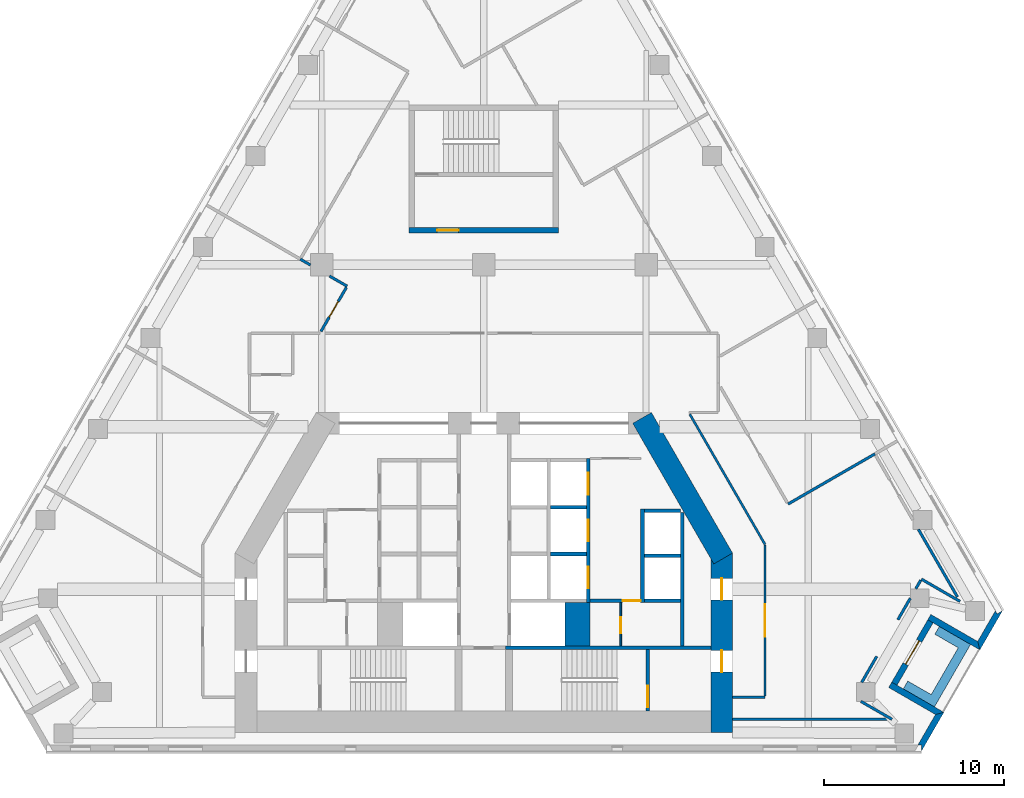
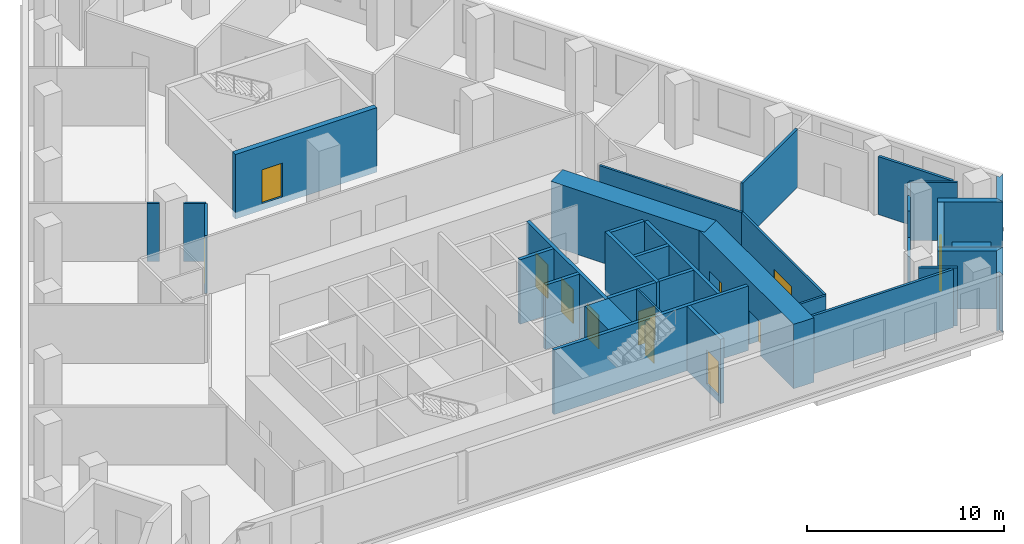
# One storey, part 5 of 8: 36 walls, 12 doors, 12 openings.
"""IFC4 building model written with IfcOpenShell, lengths in metres."""

from ifc_helpers import new_model, si_unit, direction, frame, frame_2d, origin, place, context, subcontext, project, spatial, polyline, rectangle, outline, extrude, material, layer, layer_set, type_object, element, fill, save


model = new_model("IFC4")

# Units and contexts
model_context = context("Model", 3, precision=1e-05, world=origin(), true_north=direction((0.0, 1.0)))
body_context = subcontext(model_context, "Body", "Model", "MODEL_VIEW")
ifc_project = project(units=[si_unit("LENGTHUNIT", "METRE"), si_unit("AREAUNIT", "SQUARE_METRE"), si_unit("VOLUMEUNIT", "CUBIC_METRE"), si_unit("PLANEANGLEUNIT", "RADIAN"), si_unit("MASSUNIT", "GRAM", prefix="KILO")], contexts=[model_context])

# Site, building, storey
site_placement = place(None, origin())
site = spatial("IfcSite", under=ifc_project, at=site_placement, CompositionType="ELEMENT")
building_placement = place(site_placement, origin())
building = spatial("IfcBuilding", under=site, at=building_placement, Name="Fogline Exchange Tower", CompositionType="ELEMENT")
storey_placement = place(building_placement, frame((0.0, 0.0, 162.89990234375)))
storey = spatial("IfcBuildingStorey", under=building, at=storey_placement, Name="L36", CompositionType="ELEMENT", Elevation=162.89990234375)

# Wall, opening, door
ifc_material_1 = material(Name="Blockwork partition", Category="masonry")
ifc_layer_1 = layer(ifc_material_1, 0.10009765625)
ifc_layer_set_1 = layer_set([ifc_layer_1], Name="CW10")
wall_type_1 = type_object("IfcWallType", Name="CW10", PredefinedType="PARTITIONING", material=ifc_layer_set_1)
wall_1_placement = place(storey_placement, frame((7.60009765625, 5.85009765625, 0.0), z_axis=(0.0, 0.0, 1.0), x_axis=(0.0, 1.0, 0.0)))
wall_1 = element("IfcWall", 1, at=wall_1_placement, inside=storey, type_object=wall_type_1, Name="WC partition", PredefinedType="PARTITIONING", context=body_context, shape_type="SweptSolid", body=[
    extrude(rectangle(XDim=2.39990234375, YDim=0.10009765625, at=frame_2d((1.199951171875, 0.0))), origin(), (0.0, 0.0, 1.0), 3.60009765625),
])
opening_1_placement = place(wall_1_placement, frame((0.699951171875, 0.0, 0.0)))
opening_1 = element("IfcOpeningElement", 2, at=opening_1_placement, cuts=wall_1, Name="Opening T11-C019", PredefinedType="OPENING", context=body_context, shape_type="SweptSolid", body=[
    extrude(rectangle(XDim=0.89990234375, YDim=2.10009765625, at=frame_2d((0.449951171875, 1.050048828125))), frame((0.0, 0.06005859375, 0.0), z_axis=(0.0, -1.0, 0.0), x_axis=(1.0, 0.0, 0.0)), (0.0, 0.0, 1.0), 0.1201171875),
])
ifc_material_2 = material(Name="Steel and timber fire door", Category="steel")
door_type_1 = type_object("IfcDoorType", Name="D-CS1", OperationType="SINGLE_SWING_RIGHT", PredefinedType="DOOR", material=ifc_material_2)
door_1_placement = place(opening_1_placement, origin())
door_1 = element("IfcDoor", 3, at=door_1_placement, inside=storey, type_object=door_type_1, Name="Door to Cleaner's Store", OperationType="SINGLE_SWING_LEFT", OverallHeight=2.10009765625, OverallWidth=0.89990234375, PredefinedType="DOOR", context=body_context, shape_type="SweptSolid", body=[
    extrude(rectangle(XDim=0.89990234375, YDim=2.10009765625, at=frame_2d((0.449951171875, 1.050048828125))), frame((0.0, 0.02490234375, 0.0), z_axis=(0.0, -1.0, 0.0), x_axis=(1.0, 0.0, 0.0)), (0.0, 0.0, 1.0), 0.050048828125),
])
fill(opening_1, door_1)

# Walls
ifc_material_3 = material(Name="Concrete C60", Category="concrete")
ifc_layer_2 = layer(ifc_material_3, 1.39990234375)
ifc_layer_set_2 = layer_set([ifc_layer_2], Name="CW140")
wall_type_2 = type_object("IfcWallType", Name="CW140", PredefinedType="SOLIDWALL", material=ifc_layer_set_2)
wall_2_placement = place(storey_placement, frame((5.199951171875, 5.85009765625, -0.39990234375), z_axis=(0.0, 0.0, 1.0), x_axis=(0.0, 1.0, 0.0)))
element("IfcWall", 4, at=wall_2_placement, inside=storey, type_object=wall_type_2, Name="Lift shaft block wall", PredefinedType="SOLIDWALL", context=body_context, shape_type="SweptSolid", body=[
    extrude(rectangle(XDim=2.39990234375, YDim=1.39990234375, at=frame_2d((1.199951171875, 0.0))), origin(), (0.0, 0.0, 1.0), 4.0),
])
ifc_material_4 = material(Name="Concrete C40", Category="concrete")
ifc_layer_3 = layer(ifc_material_4, 0.199951171875)
ifc_layer_set_3 = layer_set([ifc_layer_3], Name="CW20")
wall_type_3 = type_object("IfcWallType", Name="CW20", PredefinedType="SOLIDWALL", material=ifc_layer_set_3)
wall_3_placement = place(storey_placement, frame((11.0, 5.85009765625, 0.0), z_axis=(0.0, 0.0, 1.0), x_axis=(0.0, 1.0, 0.0)))
element("IfcWall", 5, at=wall_3_placement, inside=storey, type_object=wall_type_3, Name="Service room wall", PredefinedType="SOLIDWALL", context=body_context, shape_type="SweptSolid", body=[
    extrude(rectangle(XDim=7.39990234375, YDim=0.199951171875, at=frame_2d((3.699951171875, 0.0))), origin(), (0.0, 0.0, 1.0), 3.60009765625),
])

# Wall, opening, door
wall_4_placement = place(storey_placement, frame((5.89990234375, 8.35009765625, 0.0), z_axis=(0.0, 0.0, 1.0), x_axis=(1.0, 0.0, 0.0)))
wall_4 = element("IfcWall", 6, at=wall_4_placement, inside=storey, type_object=wall_type_3, Name="WC wall", PredefinedType="SOLIDWALL", context=body_context, shape_type="SweptSolid", body=[
    extrude(rectangle(XDim=2.800048828125, YDim=0.199951171875, at=frame_2d((1.39990234375, 0.0))), origin(), (0.0, 0.0, 1.0), 3.60009765625),
])
opening_2_placement = place(wall_4_placement, frame((1.800048828125, 0.0, 0.0)))
opening_2 = element("IfcOpeningElement", 7, at=opening_2_placement, cuts=wall_4, Name="Opening T11-C018", PredefinedType="OPENING", context=body_context, shape_type="SweptSolid", body=[
    extrude(rectangle(XDim=1.0, YDim=2.10009765625, at=frame_2d((0.5, 1.050048828125))), frame((0.0, 0.10986328125, 0.0), z_axis=(0.0, -1.0, 0.0), x_axis=(1.0, 0.0, 0.0)), (0.0, 0.0, 1.0), 0.219970703125),
])
door_type_2 = type_object("IfcDoorType", Name="D-WC1", OperationType="SINGLE_SWING_LEFT", PredefinedType="DOOR", material=ifc_material_2)
door_2_placement = place(opening_2_placement, frame((1.0, 0.0, 0.0), z_axis=(0.0, 0.0, 1.0), x_axis=(-1.0, 0.0, 0.0)))
door_2 = element("IfcDoor", 8, at=door_2_placement, inside=storey, type_object=door_type_2, Name="Door to Women's WC", OperationType="SINGLE_SWING_LEFT", OverallHeight=2.10009765625, OverallWidth=1.0, PredefinedType="DOOR", context=body_context, shape_type="SweptSolid", body=[
    extrude(rectangle(XDim=1.0, YDim=2.10009765625, at=frame_2d((0.5, 1.050048828125))), frame((0.0, 0.02490234375, 0.0), z_axis=(0.0, -1.0, 0.0), x_axis=(1.0, 0.0, 0.0)), (0.0, 0.0, 1.0), 0.050048828125),
])
fill(opening_2, door_2)

# Wall
ifc_layer_4 = layer(ifc_material_4, 0.199951171875)
ifc_layer_set_4 = layer_set([ifc_layer_4], Name="CW20R")
wall_type_4 = type_object("IfcWallType", Name="CW20R", PredefinedType="SOLIDWALL", material=ifc_layer_set_4)
wall_5_placement = place(storey_placement, frame((1.199951171875, 5.75, -0.39990234375), z_axis=(0.0, 0.0, 1.0), x_axis=(1.0, 0.0, 0.0)))
element("IfcWall", 9, at=wall_5_placement, inside=storey, type_object=wall_type_4, Name="Stair enclosure wall", PredefinedType="SOLIDWALL", context=body_context, shape_type="SweptSolid", body=[
    extrude(rectangle(XDim=11.400146484375, YDim=0.199951171875, at=frame_2d((5.7001953125, 0.0))), origin(), (0.0, 0.0, 1.0), 4.0),
])

# Wall, opening, door
wall_6_placement = place(storey_placement, frame((9.10009765625, 2.25, -0.39990234375), z_axis=(0.0, 0.0, 1.0), x_axis=(0.0, 1.0, 0.0)))
wall_6 = element("IfcWall", 10, at=wall_6_placement, inside=storey, type_object=wall_type_4, Name="Stair enclosure wall", PredefinedType="SOLIDWALL", context=body_context, shape_type="SweptSolid", body=[
    extrude(rectangle(XDim=3.39990234375, YDim=0.199951171875, at=frame_2d((1.699951171875, 0.0))), origin(), (0.0, 0.0, 1.0), 4.0),
])
opening_3_placement = place(wall_6_placement, frame((0.199951171875, 0.0, 0.39990234375)))
opening_3 = element("IfcOpeningElement", 11, at=opening_3_placement, cuts=wall_6, Name="Opening T11-C021", PredefinedType="OPENING", context=body_context, shape_type="SweptSolid", body=[
    extrude(rectangle(XDim=1.199951171875, YDim=2.10009765625, at=frame_2d((0.60009765625, 1.050048828125))), frame((0.0, 0.10986328125, 0.0), z_axis=(0.0, -1.0, 0.0), x_axis=(1.0, 0.0, 0.0)), (0.0, 0.0, 1.0), 0.219970703125),
])
door_type_3 = type_object("IfcDoorType", Name="D-ST1", OperationType="SINGLE_SWING_LEFT", PredefinedType="DOOR", material=ifc_material_2)
door_3_placement = place(opening_3_placement, origin())
door_3 = element("IfcDoor", 12, at=door_3_placement, inside=storey, type_object=door_type_3, Name="Stair door ST2", OperationType="SINGLE_SWING_LEFT", OverallHeight=2.10009765625, OverallWidth=1.199951171875, PredefinedType="DOOR", context=body_context, shape_type="SweptSolid", body=[
    extrude(rectangle(XDim=1.199951171875, YDim=2.10009765625, at=frame_2d((0.60009765625, 1.050048828125))), frame((0.0, 0.02490234375, 0.0), z_axis=(0.0, -1.0, 0.0), x_axis=(1.0, 0.0, 0.0)), (0.0, 0.0, 1.0), 0.050048828125),
])
fill(opening_3, door_3)

# Wall
ifc_layer_5 = layer(ifc_material_4, 0.199951171875)
ifc_layer_set_5 = layer_set([ifc_layer_5], Name="CW20S")
wall_type_5 = type_object("IfcWallType", Name="CW20S", PredefinedType="SOLIDWALL", material=ifc_layer_set_5)
wall_7_placement = place(storey_placement, frame((8.800048828125, 8.25, -0.39990234375), z_axis=(0.0, 0.0, 1.0), x_axis=(0.0, 1.0, 0.0)))
element("IfcWall", 13, at=wall_7_placement, inside=storey, type_object=wall_type_5, Name="Lift shaft wall", PredefinedType="SOLIDWALL", context=body_context, shape_type="SweptSolid", body=[
    extrude(rectangle(XDim=5.199951171875, YDim=0.199951171875, at=frame_2d((2.60009765625, 0.0))), origin(), (0.0, 0.0, 1.0), 4.0),
])

# Wall, openings, doors
wall_8_placement = place(storey_placement, frame((5.800048828125, 8.25, -0.39990234375), z_axis=(0.0, 0.0, 1.0), x_axis=(0.0, 1.0, 0.0)))
wall_8 = element("IfcWall", 14, at=wall_8_placement, inside=storey, type_object=wall_type_5, Name="Lift shaft wall", PredefinedType="SOLIDWALL", context=body_context, shape_type="SweptSolid", body=[
    extrude(rectangle(XDim=8.0, YDim=0.199951171875, at=frame_2d((4.0, 0.0))), origin(), (0.0, 0.0, 1.0), 4.0),
])
opening_4_placement = place(wall_8_placement, frame((0.800048828125, 0.0, 0.39990234375)))
opening_4 = element("IfcOpeningElement", 15, at=opening_4_placement, cuts=wall_8, Name="Opening T11-LD02", PredefinedType="OPENING", context=body_context, shape_type="SweptSolid", body=[
    extrude(rectangle(XDim=1.199951171875, YDim=2.10009765625, at=frame_2d((0.60009765625, 1.050048828125))), frame((0.0, 0.10986328125, 0.0), z_axis=(0.0, -1.0, 0.0), x_axis=(1.0, 0.0, 0.0)), (0.0, 0.0, 1.0), 0.219970703125),
])
opening_5_placement = place(wall_8_placement, frame((3.39990234375, 0.0, 0.39990234375)))
opening_5 = element("IfcOpeningElement", 16, at=opening_5_placement, cuts=wall_8, Name="Opening T11-LD03", PredefinedType="OPENING", context=body_context, shape_type="SweptSolid", body=[
    extrude(rectangle(XDim=1.199951171875, YDim=2.10009765625, at=frame_2d((0.60009765625, 1.050048828125))), frame((0.0, 0.10986328125, 0.0), z_axis=(0.0, -1.0, 0.0), x_axis=(1.0, 0.0, 0.0)), (0.0, 0.0, 1.0), 0.219970703125),
])
opening_6_placement = place(wall_8_placement, frame((6.0, 0.0, 0.39990234375)))
opening_6 = element("IfcOpeningElement", 17, at=opening_6_placement, cuts=wall_8, Name="Opening T11-LD04", PredefinedType="OPENING", context=body_context, shape_type="SweptSolid", body=[
    extrude(rectangle(XDim=1.199951171875, YDim=2.10009765625, at=frame_2d((0.60009765625, 1.050048828125))), frame((0.0, 0.10986328125, 0.0), z_axis=(0.0, -1.0, 0.0), x_axis=(1.0, 0.0, 0.0)), (0.0, 0.0, 1.0), 0.219970703125),
])
door_type_4 = type_object("IfcDoorType", Name="LD1", OperationType="SLIDING_TO_LEFT", PredefinedType="DOOR", material=ifc_material_2)
door_4_placement = place(opening_4_placement, origin())
door_4 = element("IfcDoor", 18, at=door_4_placement, inside=storey, type_object=door_type_4, Name="Landing door MR1", OperationType="SLIDING_TO_LEFT", OverallHeight=2.10009765625, OverallWidth=1.199951171875, PredefinedType="DOOR", context=body_context, shape_type="SweptSolid", body=[
    extrude(rectangle(XDim=1.199951171875, YDim=2.10009765625, at=frame_2d((0.60009765625, 1.050048828125))), frame((0.0, 0.02490234375, 0.0), z_axis=(0.0, -1.0, 0.0), x_axis=(1.0, 0.0, 0.0)), (0.0, 0.0, 1.0), 0.050048828125),
])
fill(opening_4, door_4)
door_5_placement = place(opening_5_placement, origin())
door_5 = element("IfcDoor", 19, at=door_5_placement, inside=storey, type_object=door_type_4, Name="Landing door MR2", OperationType="SLIDING_TO_LEFT", OverallHeight=2.10009765625, OverallWidth=1.199951171875, PredefinedType="DOOR", context=body_context, shape_type="SweptSolid", body=[
    extrude(rectangle(XDim=1.199951171875, YDim=2.10009765625, at=frame_2d((0.60009765625, 1.050048828125))), frame((0.0, 0.02490234375, 0.0), z_axis=(0.0, -1.0, 0.0), x_axis=(1.0, 0.0, 0.0)), (0.0, 0.0, 1.0), 0.050048828125),
])
fill(opening_5, door_5)
door_6_placement = place(opening_6_placement, origin())
door_6 = element("IfcDoor", 20, at=door_6_placement, inside=storey, type_object=door_type_4, Name="Landing door MR3", OperationType="SLIDING_TO_LEFT", OverallHeight=2.10009765625, OverallWidth=1.199951171875, PredefinedType="DOOR", context=body_context, shape_type="SweptSolid", body=[
    extrude(rectangle(XDim=1.199951171875, YDim=2.10009765625, at=frame_2d((0.60009765625, 1.050048828125))), frame((0.0, 0.02490234375, 0.0), z_axis=(0.0, -1.0, 0.0), x_axis=(1.0, 0.0, 0.0)), (0.0, 0.0, 1.0), 0.050048828125),
])
fill(opening_6, door_6)

# Walls
for number, where, z_axis, x_axis, name in (
    (21, (8.89990234375, 8.35009765625, -0.39990234375), (0.0, 0.0, 1.0), (1.0, 0.0, 0.0), "Lift shaft wall"),
    (22, (8.89990234375, 10.85009765625, -0.39990234375), (0.0, 0.0, 1.0), (1.0, 0.0, 0.0), "Lift shaft wall"),
    (23, (8.89990234375, 13.35009765625, -0.39990234375), (0.0, 0.0, 1.0), (1.0, 0.0, 0.0), "Lift shaft wall"),
    (24, (3.699951171875, 10.949951171875, -0.39990234375), (0.0, 0.0, 1.0), (1.0, 0.0, 0.0), "Lift shaft wall"),
    (25, (3.699951171875, 13.550048828125, -0.39990234375), (0.0, 0.0, 1.0), (1.0, 0.0, 0.0), "Lift shaft wall"),
):
    element("IfcWall", number, at=place(storey_placement, frame(where, z_axis=z_axis, x_axis=x_axis)), inside=storey, type_object=wall_type_5, Name=name, PredefinedType="SOLIDWALL", context=body_context, shape_type="SweptSolid", body=[
        extrude(rectangle(XDim=2.0, YDim=0.199951171875, at=frame_2d((1.0, 0.0))), origin(), (0.0, 0.0, 1.0), 4.0),
    ])

# Wall, opening, door
ifc_layer_6 = layer(ifc_material_4, 0.300048828125)
ifc_layer_set_6 = layer_set([ifc_layer_6], Name="CW30")
wall_type_6 = type_object("IfcWallType", Name="CW30", PredefinedType="SOLIDWALL", material=ifc_layer_set_6)
wall_9_placement = place(storey_placement, frame((-4.14990234375, 28.906982421875, -0.39990234375), z_axis=(0.0, 0.0, 1.0), x_axis=(1.0, 0.0, 0.0)))
wall_9 = element("IfcWall", 26, at=wall_9_placement, inside=storey, type_object=wall_type_6, Name="Stair enclosure wall ST3", PredefinedType="SOLIDWALL", context=body_context, shape_type="SweptSolid", body=[
    extrude(rectangle(XDim=8.2998046875, YDim=0.300048828125, at=frame_2d((4.14990234375, 0.0))), origin(), (0.0, 0.0, 1.0), 4.0),
])
opening_7_placement = place(wall_9_placement, frame((1.550048828125, 0.0, 0.39990234375)))
opening_7 = element("IfcOpeningElement", 27, at=opening_7_placement, cuts=wall_9, Name="Opening T11-C026", PredefinedType="OPENING", context=body_context, shape_type="SweptSolid", body=[
    extrude(rectangle(XDim=1.199951171875, YDim=2.10009765625, at=frame_2d((0.60009765625, 1.050048828125))), frame((0.0, 0.16015625, 0.0), z_axis=(0.0, -1.0, 0.0), x_axis=(1.0, 0.0, 0.0)), (0.0, 0.0, 1.0), 0.320068359375),
])
door_type_5 = type_object("IfcDoorType", Name="D-FR1", OperationType="SINGLE_SWING_RIGHT", PredefinedType="DOOR", material=ifc_material_2)
door_7_placement = place(opening_7_placement, origin())
door_7 = element("IfcDoor", 28, at=door_7_placement, inside=storey, type_object=door_type_5, Name="Front room door ST3", OperationType="SINGLE_SWING_LEFT", OverallHeight=2.10009765625, OverallWidth=1.199951171875, PredefinedType="DOOR", context=body_context, shape_type="SweptSolid", body=[
    extrude(rectangle(XDim=1.199951171875, YDim=2.10009765625, at=frame_2d((0.60009765625, 1.050048828125))), frame((0.0, 0.02490234375, 0.0), z_axis=(0.0, -1.0, 0.0), x_axis=(1.0, 0.0, 0.0)), (0.0, 0.0, 1.0), 0.050048828125),
])
fill(opening_7, door_7)

# Walls
ifc_material_5 = material(Name="Brick masonry", Category="masonry")
ifc_layer_7 = layer(ifc_material_5, 0.340087890625)
ifc_layer_set_7 = layer_set([ifc_layer_7], Name="FW1")
wall_type_7 = type_object("IfcWallType", Name="FW1", PredefinedType="SOLIDWALL", material=ifc_layer_set_7)
wall_10_placement = place(storey_placement, origin())
element("IfcWall", 29, at=wall_10_placement, inside=storey, type_object=wall_type_7, Name="Brick wall L36 SE-c1", PredefinedType="SOLIDWALL", context=body_context, shape_type="SweptSolid", body=[
    extrude(outline(polyline([(25.527099609375, 2.165771484375), (24.276123046875, -0.001220703125), (24.275390625, -0.0009765625), (24.275390625, 0.33935546875), (24.078857421875, 0.33935546875), (25.061279296875, 2.041015625), (25.52685546875, 2.166015625), (25.527099609375, 2.165771484375)])), origin(), (0.0, 0.0, 1.0), 3.60009765625),
])
wall_11_placement = place(storey_placement, origin())
element("IfcWall", 30, at=wall_11_placement, inside=storey, type_object=wall_type_7, Name="Brick wall L36 SE-s1", PredefinedType="SOLIDWALL", context=body_context, shape_type="SweptSolid", body=[
    extrude(outline(polyline([(22.462646484375, 3.540283203125), (22.63330078125, 3.8359375), (22.92822265625, 3.66552734375), (25.52734375, 2.1650390625), (25.52734375, 2.164794921875), (25.0615234375, 2.0400390625), (22.462646484375, 3.540283203125)])), origin(), (0.0, 0.0, 1.0), 3.60009765625),
])

# Wall, opening, door
wall_12_placement = place(storey_placement, frame((22.78076171875, 3.75, 0.0), z_axis=(0.0, 0.0, 1.0), x_axis=(0.49999894854, 0.866026010844, 0.0)))
wall_12 = element("IfcWall", 31, at=wall_12_placement, inside=storey, type_object=wall_type_7, Name="Brick wall L36 SE-bk", PredefinedType="SOLIDWALL", context=body_context, shape_type="SweptSolid", body=[
    extrude(rectangle(XDim=4.0, YDim=0.340087890625, at=frame_2d((2.0, 0.0))), origin(), (0.0, 0.0, 1.0), 3.60009765625),
])
opening_8_placement = place(wall_12_placement, frame((1.25, 0.0, 0.0)))
opening_8 = element("IfcOpeningElement", 32, at=opening_8_placement, cuts=wall_12, Name="Opening T11-E081", PredefinedType="OPENING", context=body_context, shape_type="SweptSolid", body=[
    extrude(rectangle(XDim=1.5, YDim=2.39990234375, at=frame_2d((0.75, 1.199951171875))), frame((0.0, 0.18017578125, 0.0), z_axis=(0.0, -1.0, 0.0), x_axis=(1.0, 0.0, 0.0)), (0.0, 0.0, 1.0), 0.360107421875),
])
ifc_material_6 = material(Name="Aluminium and glass", Category="aluminium")
door_type_6 = type_object("IfcDoorType", Name="ED4", OperationType="SINGLE_SWING_LEFT", PredefinedType="DOOR", material=ifc_material_6)
door_8_placement = place(opening_8_placement, frame((1.5, 0.0, 0.0), z_axis=(0.0, 0.0, 1.0), x_axis=(-1.0, 0.0, 0.0)))
door_8 = element("IfcDoor", 33, at=door_8_placement, inside=storey, type_object=door_type_6, Name="Balcony door L36 SE", OperationType="DOUBLE_DOOR_SINGLE_SWING", OverallHeight=2.39990234375, OverallWidth=1.5, PredefinedType="DOOR", context=body_context, shape_type="SweptSolid", body=[
    extrude(rectangle(XDim=1.5, YDim=2.39990234375, at=frame_2d((0.75, 1.199951171875))), frame((0.0, 0.02490234375, 0.0), z_axis=(0.0, -1.0, 0.0), x_axis=(1.0, 0.0, 0.0)), (0.0, 0.0, 1.0), 0.050048828125),
])
fill(opening_8, door_8)

# Walls
wall_13_placement = place(storey_placement, origin())
element("IfcWall", 34, at=wall_13_placement, inside=storey, type_object=wall_type_7, Name="Brick wall L36 SE-s2", PredefinedType="SOLIDWALL", context=body_context, shape_type="SweptSolid", body=[
    extrude(outline(polyline([(27.526611328125, 5.628173828125), (24.927734375, 7.128662109375), (24.6328125, 7.298828125), (24.803466796875, 7.594482421875), (27.402099609375, 6.093994140625), (27.52685546875, 5.62841796875), (27.526611328125, 5.628173828125)])), origin(), (0.0, 0.0, 1.0), 3.60009765625),
])
wall_14_placement = place(storey_placement, origin())
element("IfcWall", 35, at=wall_14_placement, inside=storey, type_object=wall_type_7, Name="Brick wall L36 SE-c2", PredefinedType="SOLIDWALL", context=body_context, shape_type="SweptSolid", body=[
    extrude(outline(polyline([(28.383544921875, 7.79541015625), (28.48193359375, 7.625), (28.776611328125, 7.79541015625), (28.777099609375, 7.794921875), (27.526123046875, 5.6279296875), (27.52587890625, 5.6279296875), (27.40087890625, 6.09375), (28.383544921875, 7.79541015625)])), origin(), (0.0, 0.0, 1.0), 3.60009765625),
])
ifc_material_7 = material(Name="Concrete C30", Category="concrete")
ifc_layer_8 = layer(ifc_material_7, 0.199951171875)
ifc_layer_set_8 = layer_set([ifc_layer_8], Name="PL1")
wall_type_8 = type_object("IfcWallType", Name="PL1", PredefinedType="USERDEFINED", material=ifc_layer_set_8)
wall_15_placement = place(storey_placement, origin())
element("IfcWall", 36, at=wall_15_placement, inside=storey, type_object=wall_type_8, Name="PLANTER balcony L36 SE", ObjectType="PLANTER", PredefinedType="USERDEFINED", context=body_context, shape_type="SweptSolid", body=[
    extrude(outline(polyline([(23.2744140625, 3.465087890625), (24.573486328125, 2.715087890625), (24.573486328125, 2.715087890625), (25.006591796875, 2.465087890625), (27.006591796875, 5.92919921875), (25.2744140625, 6.92919921875), (25.0244140625, 6.49609375), (26.323486328125, 5.74609375), (24.823486328125, 3.148193359375), (23.5244140625, 3.898193359375), (23.2744140625, 3.465087890625)])), origin(), (0.0, 0.0, 1.0), 1.10009765625),
])
ifc_material_8 = material(Name="Plasterboard corridor partition with mineral wool, 2 layers each side")
ifc_layer_9 = layer(ifc_material_8, 0.125)
ifc_layer_set_9 = layer_set([ifc_layer_9], Name="PW2")
wall_type_9 = type_object("IfcWallType", Name="PW2", PredefinedType="PARTITIONING", material=ifc_layer_set_9)
wall_16_placement = place(storey_placement, frame((11.428955078125, 18.705810546875, 0.0), z_axis=(0.0, 0.0, 1.0), x_axis=(0.500001115765, -0.866024759596, 0.0)))
element("IfcWall", 37, at=wall_16_placement, inside=storey, type_object=wall_type_9, Name="wall-L36-W001", PredefinedType="PARTITIONING", context=body_context, shape_type="SweptSolid", body=[
    extrude(rectangle(XDim=8.34228515625, YDim=0.125, at=frame_2d((4.171142578125, 0.0))), origin(), (0.0, 0.0, 1.0), 3.60009765625),
])

# Wall, opening, door
wall_17_placement = place(storey_placement, frame((15.60009765625, 11.4501953125, 0.0), z_axis=(0.0, 0.0, 1.0), x_axis=(0.0, -1.0, 0.0)))
wall_17 = element("IfcWall", 38, at=wall_17_placement, inside=storey, type_object=wall_type_9, Name="wall-L36-W002", PredefinedType="PARTITIONING", context=body_context, shape_type="SweptSolid", body=[
    extrude(rectangle(XDim=8.3876953125, YDim=0.125, at=frame_2d((4.19384765625, 0.0))), origin(), (0.0, 0.0, 1.0), 3.60009765625),
])
opening_9_placement = place(wall_17_placement, frame((3.2939453125, 0.0, 0.0)))
opening_9 = element("IfcOpeningElement", 39, at=opening_9_placement, cuts=wall_17, Name="Opening T11-D001", PredefinedType="OPENING", context=body_context, shape_type="SweptSolid", body=[
    extrude(rectangle(XDim=1.800048828125, YDim=2.10009765625, at=frame_2d((0.89990234375, 1.050048828125))), frame((0.0, 0.072509765625, 0.0), z_axis=(0.0, -1.0, 0.0), x_axis=(1.0, 0.0, 0.0)), (0.0, 0.0, 1.0), 0.14501953125),
])
ifc_material_9 = material(Name="Fire-rated timber door leaves with steel frame", Category="steel")
door_type_7 = type_object("IfcDoorType", Name="D4", OperationType="DOUBLE_DOOR_SINGLE_SWING", PredefinedType="DOOR", material=ifc_material_9)
door_9_placement = place(opening_9_placement, frame((1.800048828125, 0.0, 0.0), z_axis=(0.0, 0.0, 1.0), x_axis=(-1.0, 0.0, 0.0)))
door_9 = element("IfcDoor", 40, at=door_9_placement, inside=storey, type_object=door_type_7, Name="door-L36-D001", OperationType="DOUBLE_DOOR_SINGLE_SWING", OverallHeight=2.10009765625, OverallWidth=1.800048828125, PredefinedType="DOOR", context=body_context, shape_type="SweptSolid", body=[
    extrude(rectangle(XDim=1.800048828125, YDim=2.10009765625, at=frame_2d((0.89990234375, 1.050048828125))), frame((0.0, 0.02490234375, 0.0), z_axis=(0.0, -1.0, 0.0), x_axis=(1.0, 0.0, 0.0)), (0.0, 0.0, 1.0), 0.050048828125),
])
fill(opening_9, door_9)

# Walls
wall_18_placement = place(storey_placement, frame((15.60009765625, 3.0, 0.0), z_axis=(0.0, 0.0, 1.0), x_axis=(-1.0, 0.0, 0.0)))
element("IfcWall", 41, at=wall_18_placement, inside=storey, type_object=wall_type_9, Name="wall-L36-W003", PredefinedType="PARTITIONING", context=body_context, shape_type="SweptSolid", body=[
    extrude(rectangle(XDim=1.800048828125, YDim=0.125, at=frame_2d((0.89990234375, 0.0))), origin(), (0.0, 0.0, 1.0), 3.60009765625),
])
ifc_material_10 = material(Name="Plasterboard demising partition with mineral wool and acoustic board")
ifc_layer_10 = layer(ifc_material_10, 0.14990234375)
ifc_layer_set_10 = layer_set([ifc_layer_10], Name="PW3")
wall_type_10 = type_object("IfcWallType", Name="PW3", PredefinedType="PARTITIONING", material=ifc_layer_set_10)
wall_19_placement = place(storey_placement, frame((21.697265625, 16.501953125, 0.0), z_axis=(0.0, 0.0, 1.0), x_axis=(-0.866025547485, -0.499999751104, 0.0)))
element("IfcWall", 42, at=wall_19_placement, inside=storey, type_object=wall_type_10, Name="wall-L36-W021", PredefinedType="PARTITIONING", context=body_context, shape_type="SweptSolid", body=[
    extrude(rectangle(XDim=5.5634765625, YDim=0.14990234375, at=frame_2d((2.78173828125, 0.0))), origin(), (0.0, 0.0, 1.0), 3.60009765625),
])

# Wall, opening, door
wall_20_placement = place(storey_placement, frame((-9.038818359375, 23.30029296875, 0.0), z_axis=(0.0, 0.0, 1.0), x_axis=(0.500026877998, 0.866009885209, 0.0)))
wall_20 = element("IfcWall", 43, at=wall_20_placement, inside=storey, type_object=wall_type_10, Name="wall-L36-W040", PredefinedType="PARTITIONING", context=body_context, shape_type="SweptSolid", body=[
    extrude(rectangle(XDim=2.822998046875, YDim=0.14990234375, at=frame_2d((1.41162109375, 0.0))), origin(), (0.0, 0.0, 1.0), 3.60009765625),
])
opening_10_placement = place(wall_20_placement, frame((0.91162109375, 0.0, 0.0)))
opening_10 = element("IfcOpeningElement", 44, at=opening_10_placement, cuts=wall_20, Name="Opening T11-D013", PredefinedType="OPENING", context=body_context, shape_type="SweptSolid", body=[
    extrude(rectangle(XDim=1.0, YDim=2.10009765625, at=frame_2d((0.5, 1.050048828125))), frame((0.0, 0.0849609375, 0.0), z_axis=(0.0, -1.0, 0.0), x_axis=(1.0, 0.0, 0.0)), (0.0, 0.0, 1.0), 0.169921875),
])
ifc_material_11 = material(Name="Fire-rated timber door leaf with steel frame", Category="steel")
door_type_8 = type_object("IfcDoorType", Name="D3", OperationType="SINGLE_SWING_LEFT", PredefinedType="DOOR", material=ifc_material_11)
door_10_placement = place(opening_10_placement, origin())
door_10 = element("IfcDoor", 45, at=door_10_placement, inside=storey, type_object=door_type_8, Name="door-L36-D013", OperationType="SINGLE_SWING_LEFT", OverallHeight=2.10009765625, OverallWidth=1.0, PredefinedType="DOOR", context=body_context, shape_type="SweptSolid", body=[
    extrude(rectangle(XDim=1.0, YDim=2.10009765625, at=frame_2d((0.5, 1.050048828125))), frame((0.0, 0.02490234375, 0.0), z_axis=(0.0, -1.0, 0.0), x_axis=(1.0, 0.0, 0.0)), (0.0, 0.0, 1.0), 0.050048828125),
])
fill(opening_10, door_10)

# Walls
wall_21_placement = place(storey_placement, frame((-7.589599609375, 25.810302734375, 0.0), z_axis=(0.0, 0.0, 1.0), x_axis=(-0.866066817379, 0.499928262689, 0.0)))
element("IfcWall", 46, at=wall_21_placement, inside=storey, type_object=wall_type_10, Name="wall-L36-W041", PredefinedType="PARTITIONING", context=body_context, shape_type="SweptSolid", body=[
    extrude(rectangle(XDim=1.129638671875, YDim=0.14990234375, at=frame_2d((0.56494140625, 0.0))), origin(), (0.0, 0.0, 1.0), 3.60009765625),
])
wall_22_placement = place(storey_placement, frame((-9.625, 26.9853515625, 0.0), z_axis=(0.0, 0.0, 1.0), x_axis=(-0.86599162392, 0.500058503878, 0.0)))
element("IfcWall", 47, at=wall_22_placement, inside=storey, type_object=wall_type_10, Name="wall-L36-W042", PredefinedType="PARTITIONING", context=body_context, shape_type="SweptSolid", body=[
    extrude(rectangle(XDim=0.64990234375, YDim=0.14990234375, at=frame_2d((0.324951171875, 0.0))), origin(), (0.0, 0.0, 1.0), 3.60009765625),
])
wall_23_placement = place(storey_placement, frame((13.800048828125, 1.776611328125, 0.0), z_axis=(0.0, 0.0, 1.0), x_axis=(1.0, 0.0, 0.0)))
element("IfcWall", 48, at=wall_23_placement, inside=storey, type_object=wall_type_10, Name="wall-L36-W050", PredefinedType="PARTITIONING", context=body_context, shape_type="SweptSolid", body=[
    extrude(rectangle(XDim=8.565673828125, YDim=0.14990234375, at=frame_2d((4.28271484375, 0.0))), origin(), (0.0, 0.0, 1.0), 3.60009765625),
])
wall_24_placement = place(storey_placement, frame((22.64599609375, 1.776611328125, 0.0), z_axis=(0.0, 0.0, 1.0), x_axis=(-0.866073508375, 0.499916671148, 0.0)))
element("IfcWall", 49, at=wall_24_placement, inside=storey, type_object=wall_type_10, Name="wall-L36-W051", PredefinedType="PARTITIONING", context=body_context, shape_type="SweptSolid", body=[
    extrude(rectangle(XDim=1.994873046875, YDim=0.14990234375, at=frame_2d((0.99755859375, 0.0))), origin(), (0.0, 0.0, 1.0), 3.60009765625),
])
wall_25_placement = place(storey_placement, frame((20.968505859375, 3.823974609375, 0.0), z_axis=(0.0, 0.0, 1.0), x_axis=(0.499950631041, 0.86605390509, 0.0)))
element("IfcWall", 50, at=wall_25_placement, inside=storey, type_object=wall_type_10, Name="wall-L36-W052", PredefinedType="PARTITIONING", context=body_context, shape_type="SweptSolid", body=[
    extrude(rectangle(XDim=1.667236328125, YDim=0.14990234375, at=frame_2d((0.83349609375, 0.0))), origin(), (0.0, 0.0, 1.0), 3.60009765625),
])
wall_26_placement = place(storey_placement, frame((22.97705078125, 7.302978515625, 0.0), z_axis=(0.0, 0.0, 1.0), x_axis=(0.499958106649, 0.866049589571, 0.0)))
element("IfcWall", 51, at=wall_26_placement, inside=storey, type_object=wall_type_10, Name="wall-L36-W053", PredefinedType="PARTITIONING", context=body_context, shape_type="SweptSolid", body=[
    extrude(rectangle(XDim=1.375, YDim=0.14990234375, at=frame_2d((0.6875, 0.0))), origin(), (0.0, 0.0, 1.0), 3.60009765625),
])
wall_27_placement = place(storey_placement, frame((23.968505859375, 9.020263671875, 0.0), z_axis=(0.0, 0.0, 1.0), x_axis=(0.499955758317, 0.866050945225, 0.0)))
element("IfcWall", 52, at=wall_27_placement, inside=storey, type_object=wall_type_10, Name="wall-L36-W054", PredefinedType="PARTITIONING", context=body_context, shape_type="SweptSolid", body=[
    extrude(rectangle(XDim=0.54345703125, YDim=0.14990234375, at=frame_2d((0.271728515625, 0.0))), origin(), (0.0, 0.0, 1.0), 3.60009765625),
])
wall_28_placement = place(storey_placement, frame((24.27783203125, 9.555908203125, 0.0), z_axis=(0.0, 0.0, 1.0), x_axis=(0.866026347786, -0.499998364937, 0.0)))
element("IfcWall", 53, at=wall_28_placement, inside=storey, type_object=wall_type_10, Name="wall-L36-W055", PredefinedType="PARTITIONING", context=body_context, shape_type="SweptSolid", body=[
    extrude(rectangle(XDim=2.4765625, YDim=0.14990234375, at=frame_2d((1.23828125, 0.0))), origin(), (0.0, 0.0, 1.0), 3.60009765625),
])
wall_29_placement = place(storey_placement, frame((26.2822265625, 8.560546875, 0.0), z_axis=(0.0, 0.0, 1.0), x_axis=(-0.499980506256, 0.86603665821, 0.0)))
element("IfcWall", 54, at=wall_29_placement, inside=storey, type_object=wall_type_10, Name="wall-L36-W056", PredefinedType="PARTITIONING", context=body_context, shape_type="SweptSolid", body=[
    extrude(rectangle(XDim=4.340576171875, YDim=0.14990234375, at=frame_2d((2.17041015625, 0.0))), origin(), (0.0, 0.0, 1.0), 3.60009765625),
])

# Wall, openings, doors
ifc_layer_11 = layer(ifc_material_3, 1.199951171875)
ifc_layer_set_11 = layer_set([ifc_layer_11], Name="SW02")
wall_type_11 = type_object("IfcWallType", Name="SW02", PredefinedType="SHEAR", material=ifc_layer_set_11)
wall_30_placement = place(storey_placement, frame((13.199951171875, 1.050048828125, 0.0), z_axis=(0.0, 0.0, 1.0), x_axis=(0.0, 1.0, 0.0)))
wall_30 = element("IfcWall", 55, at=wall_30_placement, inside=storey, type_object=wall_type_11, Name="L36-W902", PredefinedType="SHEAR", context=body_context, shape_type="SweptSolid", body=[
    extrude(rectangle(XDim=9.948974609375, YDim=1.199951171875, at=frame_2d((4.974609375, 0.0))), origin(), (0.0, 0.0, 1.0), 4.0),
])
opening_11_placement = place(wall_30_placement, frame((3.35009765625, 0.0, 0.0)))
opening_11 = element("IfcOpeningElement", 56, at=opening_11_placement, cuts=wall_30, Name="Opening T11-C020", PredefinedType="OPENING", context=body_context, shape_type="SweptSolid", body=[
    extrude(rectangle(XDim=1.199951171875, YDim=2.10009765625, at=frame_2d((0.60009765625, 1.050048828125))), frame((0.0, 0.60986328125, 0.0), z_axis=(0.0, -1.0, 0.0), x_axis=(1.0, 0.0, 0.0)), (0.0, 0.0, 1.0), 1.219970703125),
])
opening_12_placement = place(wall_30_placement, frame((7.35009765625, 0.0, 0.0)))
opening_12 = element("IfcOpeningElement", 57, at=opening_12_placement, cuts=wall_30, Name="Opening T11-C022", PredefinedType="OPENING", context=body_context, shape_type="SweptSolid", body=[
    extrude(rectangle(XDim=1.199951171875, YDim=2.10009765625, at=frame_2d((0.60009765625, 1.050048828125))), frame((0.0, 0.60986328125, 0.0), z_axis=(0.0, -1.0, 0.0), x_axis=(1.0, 0.0, 0.0)), (0.0, 0.0, 1.0), 1.219970703125),
])
door_11_placement = place(opening_11_placement, origin())
door_11 = element("IfcDoor", 58, at=door_11_placement, inside=storey, type_object=door_type_5, Name="Front room door ST2", OperationType="SINGLE_SWING_RIGHT", OverallHeight=2.10009765625, OverallWidth=1.199951171875, PredefinedType="DOOR", context=body_context, shape_type="SweptSolid", body=[
    extrude(rectangle(XDim=1.199951171875, YDim=2.10009765625, at=frame_2d((0.60009765625, 1.050048828125))), frame((0.0, 0.02490234375, 0.0), z_axis=(0.0, -1.0, 0.0), x_axis=(1.0, 0.0, 0.0)), (0.0, 0.0, 1.0), 0.050048828125),
])
fill(opening_11, door_11)
door_type_9 = type_object("IfcDoorType", Name="D-SV1", OperationType="SINGLE_SWING_LEFT", PredefinedType="DOOR", material=ifc_material_2)
door_12_placement = place(opening_12_placement, origin())
door_12 = element("IfcDoor", 59, at=door_12_placement, inside=storey, type_object=door_type_9, Name="Service door E", OperationType="SINGLE_SWING_RIGHT", OverallHeight=2.10009765625, OverallWidth=1.199951171875, PredefinedType="DOOR", context=body_context, shape_type="SweptSolid", body=[
    extrude(rectangle(XDim=1.199951171875, YDim=2.10009765625, at=frame_2d((0.60009765625, 1.050048828125))), frame((0.0, 0.02490234375, 0.0), z_axis=(0.0, -1.0, 0.0), x_axis=(1.0, 0.0, 0.0)), (0.0, 0.0, 1.0), 0.050048828125),
])
fill(opening_12, door_12)

# Wall
wall_31_placement = place(storey_placement, frame((13.280517578125, 10.698974609375, 0.0), z_axis=(0.0, 0.0, 1.0), x_axis=(-0.499998513025, 0.866026262288, 0.0)))
element("IfcWall", 60, at=wall_31_placement, inside=storey, type_object=wall_type_11, Name="L36-W903", PredefinedType="SHEAR", context=body_context, shape_type="SweptSolid", body=[
    extrude(rectangle(XDim=9.0078125, YDim=1.199951171875, at=frame_2d((4.50390625, 0.0))), origin(), (0.0, 0.0, 1.0), 4.0),
])

save(model, "model.ifc")
